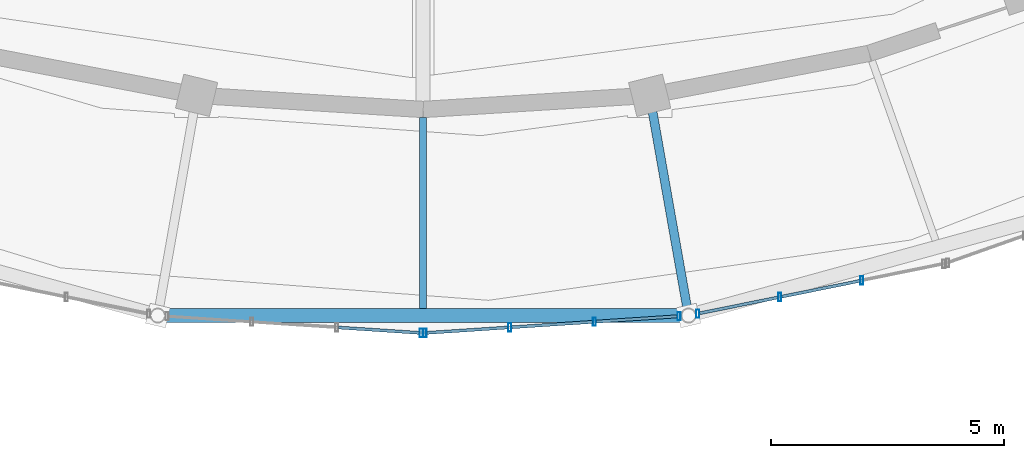
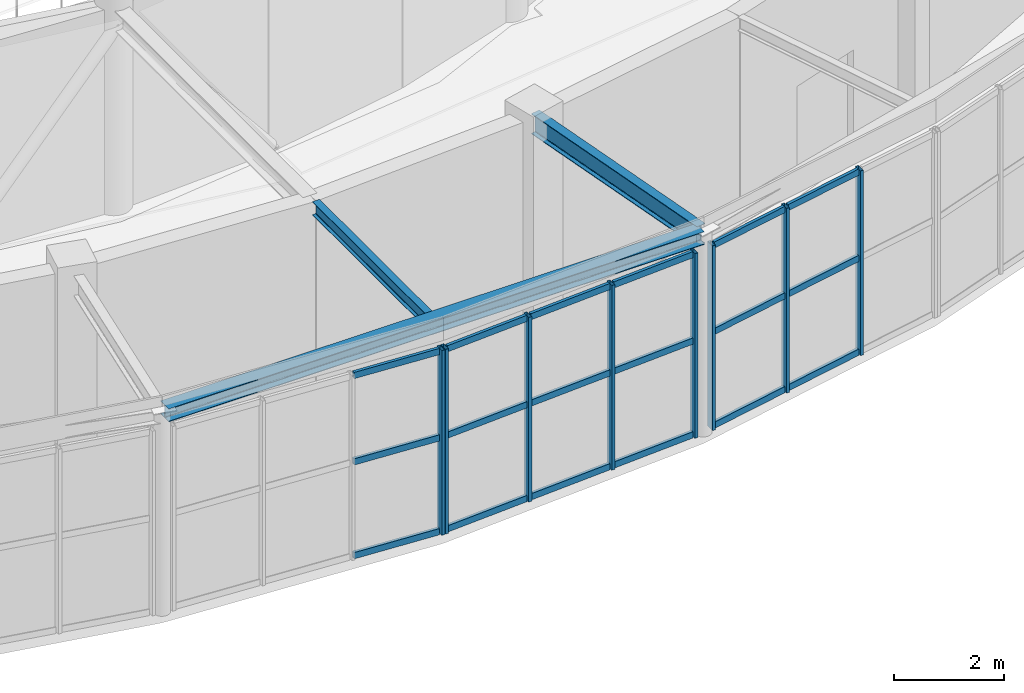
# One storey, part 39 of 108: 26 members, 3 beams, 3 elements without a shape of their own.
"""IFC4 building model written with IfcOpenShell, lengths in metres."""

from ifc_helpers import new_model, si_unit, direction, frame, origin, origin_2d, place, context, subcontext, project, spatial, hollow_rectangle, i_section, extrude, material, material_profile, profile_set, type_object, element, aggregate, save


model = new_model("IFC4")

# Units and contexts
model_context = context("Model", 3, precision=1e-05, world=origin(), true_north=direction((0.0, 1.0)))
body_context = subcontext(model_context, "Body", "Model", "MODEL_VIEW")
ifc_project = project(units=[si_unit("LENGTHUNIT", "METRE"), si_unit("AREAUNIT", "SQUARE_METRE"), si_unit("VOLUMEUNIT", "CUBIC_METRE"), si_unit("PLANEANGLEUNIT", "RADIAN"), si_unit("MASSUNIT", "GRAM", prefix="KILO")], contexts=[model_context])

# Site, building, storey
site_placement = place(None, origin())
site = spatial("IfcSite", under=ifc_project, at=site_placement, CompositionType="ELEMENT")
building_placement = place(site_placement, origin())
building = spatial("IfcBuilding", under=site, at=building_placement, Name="Tarnveldt Headland Concert Hall", CompositionType="ELEMENT")
storey_placement = place(building_placement, frame((0.0, 0.0, 9.60009765625)))
storey = spatial("IfcBuildingStorey", under=building, at=storey_placement, Name="L02", CompositionType="ELEMENT", Elevation=9.60009765625)

# Curtain wall, member
ifc_material_1 = material(Name="Marine-anodised aluminium EN AW-6063-T6", Category="aluminium")
curtain_wall_type = type_object("IfcCurtainWallType", Name="CW-F3", PredefinedType="NOTDEFINED", material=ifc_material_1)
curtain_wall_1_placement = place(storey_placement, origin())
curtain_wall_1 = element("IfcCurtainWall", 1, at=curtain_wall_1_placement, inside=storey, type_object=curtain_wall_type, Name="Curtain wall CW-L02-085", PredefinedType="NOTDEFINED")
ifc_material_profile_1 = material_profile(ifc_material_1, hollow_rectangle(XDim=0.06494140625, YDim=0.179931640625, WallThickness=0.00390625, at=origin_2d()), Name="ALU MULLION 65x180x4", Category="aluminium")
ifc_profile_set_1 = profile_set([ifc_material_profile_1], Name="Marine-anodised aluminium EN AW-6063-T6")
member_type_1 = type_object("IfcMemberType", Name="ML-180", PredefinedType="MULLION", material=ifc_profile_set_1)
member_1_placement = place(storey_placement, frame((83.460205078125, 29.70263671875, 0.0), z_axis=(0.0, 0.0, 1.0), x_axis=(1.0, 0.0, 0.0)))
member_1 = element("IfcMember", 2, at=member_1_placement, type_object=member_type_1, Name="Mullion CW-L02-085-4", PredefinedType="MULLION", context=body_context, shape_type="SweptSolid", body=[
    extrude(hollow_rectangle(XDim=0.06494140625, YDim=0.179931640625, WallThickness=0.00390625, at=origin_2d()), origin(), (0.0, 0.0, 1.0), 4.10791015625),
])

# Curtain wall, members
curtain_wall_2_placement = place(storey_placement, origin())
curtain_wall_2 = element("IfcCurtainWall", 3, at=curtain_wall_2_placement, inside=storey, type_object=curtain_wall_type, Name="Curtain wall CW-L02-086", PredefinedType="NOTDEFINED")
member_2_placement = place(storey_placement, frame((83.539794921875, 29.70263671875, 0.0), z_axis=(0.0, 0.0, 1.0), x_axis=(1.0, 0.0, 0.0)))
member_2 = element("IfcMember", 4, at=member_2_placement, type_object=member_type_1, Name="Mullion CW-L02-086-1", PredefinedType="MULLION", context=body_context, shape_type="SweptSolid", body=[
    extrude(hollow_rectangle(XDim=0.06494140625, YDim=0.179931640625, WallThickness=0.00390625, at=origin_2d()), origin(), (0.0, 0.0, 1.0), 4.10791015625),
])
member_3_placement = place(storey_placement, frame((85.35791015625, 29.822998046875, 0.0), z_axis=(0.0, 0.0, 1.0), x_axis=(1.0, 0.0, 0.0)))
member_3 = element("IfcMember", 5, at=member_3_placement, type_object=member_type_1, Name="Mullion CW-L02-086-2", PredefinedType="MULLION", context=body_context, shape_type="SweptSolid", body=[
    extrude(hollow_rectangle(XDim=0.06494140625, YDim=0.179931640625, WallThickness=0.00390625, at=origin_2d()), origin(), (0.0, 0.0, 1.0), 4.10791015625),
])
member_4_placement = place(storey_placement, frame((87.176025390625, 29.943115234375, 0.0), z_axis=(0.0, 0.0, 1.0), x_axis=(1.0, 0.0, 0.0)))
member_4 = element("IfcMember", 6, at=member_4_placement, type_object=member_type_1, Name="Mullion CW-L02-086-3", PredefinedType="MULLION", context=body_context, shape_type="SweptSolid", body=[
    extrude(hollow_rectangle(XDim=0.06494140625, YDim=0.179931640625, WallThickness=0.00390625, at=origin_2d()), origin(), (0.0, 0.0, 1.0), 4.10791015625),
])
member_5_placement = place(storey_placement, frame((88.994140625, 30.0634765625, 0.0), z_axis=(0.0, 0.0, 1.0), x_axis=(1.0, 0.0, 0.0)))
member_5 = element("IfcMember", 7, at=member_5_placement, type_object=member_type_1, Name="Mullion CW-L02-086-4", PredefinedType="MULLION", context=body_context, shape_type="SweptSolid", body=[
    extrude(hollow_rectangle(XDim=0.06494140625, YDim=0.179931640625, WallThickness=0.00390625, at=origin_2d()), origin(), (0.0, 0.0, 1.0), 4.10791015625),
])

curtain_wall_3_placement = place(storey_placement, origin())
curtain_wall_3 = element("IfcCurtainWall", 8, at=curtain_wall_3_placement, inside=storey, type_object=curtain_wall_type, Name="Curtain wall CW-L02-087", PredefinedType="NOTDEFINED")
member_6_placement = place(storey_placement, frame((89.3935546875, 30.116943359375, 0.0), z_axis=(0.0, 0.0, 1.0), x_axis=(1.0, 0.0, 0.0)))
member_6 = element("IfcMember", 9, at=member_6_placement, type_object=member_type_1, Name="Mullion CW-L02-087-1", PredefinedType="MULLION", context=body_context, shape_type="SweptSolid", body=[
    extrude(hollow_rectangle(XDim=0.06494140625, YDim=0.179931640625, WallThickness=0.00390625, at=origin_2d()), origin(), (0.0, 0.0, 1.0), 4.10791015625),
])
member_7_placement = place(storey_placement, frame((91.155517578125, 30.473876953125, 0.0), z_axis=(0.0, 0.0, 1.0), x_axis=(1.0, 0.0, 0.0)))
member_7 = element("IfcMember", 10, at=member_7_placement, type_object=member_type_1, Name="Mullion CW-L02-087-2", PredefinedType="MULLION", context=body_context, shape_type="SweptSolid", body=[
    extrude(hollow_rectangle(XDim=0.06494140625, YDim=0.179931640625, WallThickness=0.00390625, at=origin_2d()), origin(), (0.0, 0.0, 1.0), 4.10791015625),
])
member_8_placement = place(storey_placement, frame((92.917236328125, 30.830810546875, 0.0), z_axis=(0.0, 0.0, 1.0), x_axis=(1.0, 0.0, 0.0)))
member_8 = element("IfcMember", 11, at=member_8_placement, type_object=member_type_1, Name="Mullion CW-L02-087-3", PredefinedType="MULLION", context=body_context, shape_type="SweptSolid", body=[
    extrude(hollow_rectangle(XDim=0.06494140625, YDim=0.179931640625, WallThickness=0.00390625, at=origin_2d()), origin(), (0.0, 0.0, 1.0), 4.10791015625),
])

# Beams
ifc_material_2 = material(Name="Steel S355", Category="steel")
ifc_material_profile_2 = material_profile(ifc_material_2, i_section(OverallWidth=0.300048828125, OverallDepth=0.2900390625, WebThickness=0.008544921875, FlangeThickness=0.013916015625, FilletRadius=0.027099609375, at=origin_2d()), Name="HEA300", Category="steel")
ifc_profile_set_2 = profile_set([ifc_material_profile_2], Name="Steel S355")
beam_type_1 = type_object("IfcBeamType", Name="SB-HEA300", PredefinedType="SPANDREL", material=ifc_profile_set_2)
beam_1_placement = place(storey_placement, frame((77.8642578125, 30.076904296875, 4.4248046875), z_axis=(1.0, 0.0, 0.0), x_axis=(0.0, 1.0, 0.0)))
element("IfcBeam", 12, at=beam_1_placement, inside=storey, type_object=beam_type_1, Name="Framing beam L02-1034", PredefinedType="SPANDREL", context=body_context, shape_type="SweptSolid", body=[
    extrude(i_section(OverallWidth=0.300048828125, OverallDepth=0.2900390625, WebThickness=0.008544921875, FlangeThickness=0.013916015625, FilletRadius=0.027099609375, at=origin_2d()), origin(), (0.0, 0.0, 1.0), 11.271484375),
])
ifc_material_profile_3 = material_profile(ifc_material_2, i_section(OverallWidth=0.14990234375, OverallDepth=0.300048828125, WebThickness=0.007080078125, FlangeThickness=0.0107421875, FilletRadius=0.014892578125, at=origin_2d()), Name="IPE300", Category="steel")
ifc_profile_set_3 = profile_set([ifc_material_profile_3], Name="Steel S355")
beam_type_2 = type_object("IfcBeamType", Name="SB-IPE300", PredefinedType="JOIST", material=ifc_profile_set_3)
beam_2_placement = place(storey_placement, frame((83.5, 34.324951171875, 4.419921875), z_axis=(0.0, -1.0, 0.0), x_axis=(1.0, 0.0, 0.0)))
element("IfcBeam", 13, at=beam_2_placement, inside=storey, type_object=beam_type_2, Name="Framing beam L02-1036", PredefinedType="JOIST", context=body_context, shape_type="SweptSolid", body=[
    extrude(i_section(OverallWidth=0.14990234375, OverallDepth=0.300048828125, WebThickness=0.007080078125, FlangeThickness=0.0107421875, FilletRadius=0.014892578125, at=origin_2d()), origin(), (0.0, 0.0, 1.0), 4.09814453125),
])
ifc_material_profile_4 = material_profile(ifc_material_2, i_section(OverallWidth=0.18994140625, OverallDepth=0.449951171875, WebThickness=0.009521484375, FlangeThickness=0.0146484375, FilletRadius=0.02099609375, at=origin_2d()), Name="IPE450", Category="steel")
ifc_profile_set_4 = profile_set([ifc_material_profile_4], Name="Steel S355")
beam_type_3 = type_object("IfcBeamType", Name="SB-IPE450", PredefinedType="BEAM", material=ifc_profile_set_4)
beam_3_placement = place(storey_placement, frame((88.368896484375, 34.764404296875, 4.344970703125), z_axis=(0.173708285572, -0.984797152475, 0.0), x_axis=(0.984797152475, 0.173708285572, 0.0)))
element("IfcBeam", 14, at=beam_3_placement, inside=storey, type_object=beam_type_3, Name="Framing beam L02-1038", PredefinedType="BEAM", context=body_context, shape_type="SweptSolid", body=[
    extrude(i_section(OverallWidth=0.18994140625, OverallDepth=0.449951171875, WebThickness=0.009521484375, FlangeThickness=0.0146484375, FilletRadius=0.02099609375, at=origin_2d()), origin(), (0.0, 0.0, 1.0), 4.699951171875),
])

# Member
ifc_material_profile_5 = material_profile(ifc_material_1, hollow_rectangle(XDim=0.06494140625, YDim=0.139892578125, WallThickness=0.00390625, at=origin_2d()), Name="ALU TRANSOM 65x140x4", Category="aluminium")
ifc_profile_set_5 = profile_set([ifc_material_profile_5], Name="Marine-anodised aluminium EN AW-6063-T6")
member_type_2 = type_object("IfcMemberType", Name="TR-140", PredefinedType="MEMBER", material=ifc_profile_set_5)
member_9_placement = place(storey_placement, frame((81.686279296875, 29.820068359375, 0.0498046875), z_axis=(0.997815592021, -0.066060913701, 0.0), x_axis=(0.066060913701, 0.997815592021, 0.0)))
member_9 = element("IfcMember", 15, at=member_9_placement, type_object=member_type_2, Name="Transom CW-L02-085-3-1", PredefinedType="MEMBER", context=body_context, shape_type="SweptSolid", body=[
    extrude(hollow_rectangle(XDim=0.06494140625, YDim=0.139892578125, WallThickness=0.00390625, at=origin_2d()), origin(), (0.0, 0.0, 1.0), 1.7333984375),
])

member_10_placement = place(storey_placement, frame((81.686279296875, 29.820068359375, 2.135986328125), z_axis=(0.997815592021, -0.066060913701, 0.0), x_axis=(0.066060913701, 0.997815592021, 0.0)))
member_10 = element("IfcMember", 16, at=member_10_placement, type_object=member_type_2, Name="Transom CW-L02-085-3-2", PredefinedType="MEMBER", context=body_context, shape_type="SweptSolid", body=[
    extrude(hollow_rectangle(XDim=0.06494140625, YDim=0.139892578125, WallThickness=0.00390625, at=origin_2d()), origin(), (0.0, 0.0, 1.0), 1.7333984375),
])

member_11_placement = place(storey_placement, frame((81.686279296875, 29.820068359375, 4.057861328125), z_axis=(0.997815592021, -0.066060913701, 0.0), x_axis=(0.066060913701, 0.997815592021, 0.0)))
member_11 = element("IfcMember", 17, at=member_11_placement, type_object=member_type_2, Name="Transom CW-L02-085-3-3", PredefinedType="MEMBER", context=body_context, shape_type="SweptSolid", body=[
    extrude(hollow_rectangle(XDim=0.06494140625, YDim=0.139892578125, WallThickness=0.00390625, at=origin_2d()), origin(), (0.0, 0.0, 1.0), 1.7333984375),
])

aggregate(curtain_wall_1, [member_1, member_9, member_10, member_11])

member_12_placement = place(storey_placement, frame((83.584228515625, 29.70556640625, 0.0498046875), z_axis=(0.997815592021, 0.066060913701, 0.0), x_axis=(-0.066060913701, 0.997815592021, 0.0)))
member_12 = element("IfcMember", 18, at=member_12_placement, type_object=member_type_2, Name="Transom CW-L02-086-1-1", PredefinedType="MEMBER", context=body_context, shape_type="SweptSolid", body=[
    extrude(hollow_rectangle(XDim=0.06494140625, YDim=0.139892578125, WallThickness=0.00390625, at=origin_2d()), origin(), (0.0, 0.0, 1.0), 1.7333984375),
])

member_13_placement = place(storey_placement, frame((83.584228515625, 29.70556640625, 2.135986328125), z_axis=(0.997815592021, 0.066060913701, 0.0), x_axis=(-0.066060913701, 0.997815592021, 0.0)))
member_13 = element("IfcMember", 19, at=member_13_placement, type_object=member_type_2, Name="Transom CW-L02-086-1-2", PredefinedType="MEMBER", context=body_context, shape_type="SweptSolid", body=[
    extrude(hollow_rectangle(XDim=0.06494140625, YDim=0.139892578125, WallThickness=0.00390625, at=origin_2d()), origin(), (0.0, 0.0, 1.0), 1.7333984375),
])

member_14_placement = place(storey_placement, frame((83.584228515625, 29.70556640625, 4.057861328125), z_axis=(0.997815592021, 0.066060913701, 0.0), x_axis=(-0.066060913701, 0.997815592021, 0.0)))
member_14 = element("IfcMember", 20, at=member_14_placement, type_object=member_type_2, Name="Transom CW-L02-086-1-3", PredefinedType="MEMBER", context=body_context, shape_type="SweptSolid", body=[
    extrude(hollow_rectangle(XDim=0.06494140625, YDim=0.139892578125, WallThickness=0.00390625, at=origin_2d()), origin(), (0.0, 0.0, 1.0), 1.7333984375),
])

member_15_placement = place(storey_placement, frame((85.40234375, 29.82568359375, 0.0498046875), z_axis=(0.997814977195, 0.066070199676, 0.0), x_axis=(-0.066070199676, 0.997814977195, 0.0)))
member_15 = element("IfcMember", 21, at=member_15_placement, type_object=member_type_2, Name="Transom CW-L02-086-2-1", PredefinedType="MEMBER", context=body_context, shape_type="SweptSolid", body=[
    extrude(hollow_rectangle(XDim=0.06494140625, YDim=0.139892578125, WallThickness=0.00390625, at=origin_2d()), origin(), (0.0, 0.0, 1.0), 1.733154296875),
])

member_16_placement = place(storey_placement, frame((85.40234375, 29.82568359375, 2.135986328125), z_axis=(0.997814977195, 0.066070199676, 0.0), x_axis=(-0.066070199676, 0.997814977195, 0.0)))
member_16 = element("IfcMember", 22, at=member_16_placement, type_object=member_type_2, Name="Transom CW-L02-086-2-2", PredefinedType="MEMBER", context=body_context, shape_type="SweptSolid", body=[
    extrude(hollow_rectangle(XDim=0.06494140625, YDim=0.139892578125, WallThickness=0.00390625, at=origin_2d()), origin(), (0.0, 0.0, 1.0), 1.733154296875),
])

member_17_placement = place(storey_placement, frame((85.40234375, 29.82568359375, 4.057861328125), z_axis=(0.997814977195, 0.066070199676, 0.0), x_axis=(-0.066070199676, 0.997814977195, 0.0)))
member_17 = element("IfcMember", 23, at=member_17_placement, type_object=member_type_2, Name="Transom CW-L02-086-2-3", PredefinedType="MEMBER", context=body_context, shape_type="SweptSolid", body=[
    extrude(hollow_rectangle(XDim=0.06494140625, YDim=0.139892578125, WallThickness=0.00390625, at=origin_2d()), origin(), (0.0, 0.0, 1.0), 1.733154296875),
])

member_18_placement = place(storey_placement, frame((87.220458984375, 29.946044921875, 0.0498046875), z_axis=(0.997814977195, 0.066070199676, 0.0), x_axis=(-0.066070199676, 0.997814977195, 0.0)))
member_18 = element("IfcMember", 24, at=member_18_placement, type_object=member_type_2, Name="Transom CW-L02-086-3-1", PredefinedType="MEMBER", context=body_context, shape_type="SweptSolid", body=[
    extrude(hollow_rectangle(XDim=0.06494140625, YDim=0.139892578125, WallThickness=0.00390625, at=origin_2d()), origin(), (0.0, 0.0, 1.0), 1.733154296875),
])

member_19_placement = place(storey_placement, frame((87.220458984375, 29.946044921875, 2.135986328125), z_axis=(0.997814977195, 0.066070199676, 0.0), x_axis=(-0.066070199676, 0.997814977195, 0.0)))
member_19 = element("IfcMember", 25, at=member_19_placement, type_object=member_type_2, Name="Transom CW-L02-086-3-2", PredefinedType="MEMBER", context=body_context, shape_type="SweptSolid", body=[
    extrude(hollow_rectangle(XDim=0.06494140625, YDim=0.139892578125, WallThickness=0.00390625, at=origin_2d()), origin(), (0.0, 0.0, 1.0), 1.733154296875),
])

member_20_placement = place(storey_placement, frame((87.220458984375, 29.946044921875, 4.057861328125), z_axis=(0.997814977195, 0.066070199676, 0.0), x_axis=(-0.066070199676, 0.997814977195, 0.0)))
member_20 = element("IfcMember", 26, at=member_20_placement, type_object=member_type_2, Name="Transom CW-L02-086-3-3", PredefinedType="MEMBER", context=body_context, shape_type="SweptSolid", body=[
    extrude(hollow_rectangle(XDim=0.06494140625, YDim=0.139892578125, WallThickness=0.00390625, at=origin_2d()), origin(), (0.0, 0.0, 1.0), 1.733154296875),
])

aggregate(curtain_wall_2, [member_2, member_3, member_4, member_5, member_12, member_13, member_14, member_15, member_16, member_17, member_18, member_19, member_20])

member_21_placement = place(storey_placement, frame((89.437255859375, 30.125732421875, 0.0498046875), z_axis=(0.980077374986, 0.198616059372, 0.0), x_axis=(-0.198616059372, 0.980077374986, 0.0)))
member_21 = element("IfcMember", 27, at=member_21_placement, type_object=member_type_2, Name="Transom CW-L02-087-1-1", PredefinedType="MEMBER", context=body_context, shape_type="SweptSolid", body=[
    extrude(hollow_rectangle(XDim=0.06494140625, YDim=0.139892578125, WallThickness=0.00390625, at=origin_2d()), origin(), (0.0, 0.0, 1.0), 1.70849609375),
])

member_22_placement = place(storey_placement, frame((89.437255859375, 30.125732421875, 2.135986328125), z_axis=(0.980077374986, 0.198616059372, 0.0), x_axis=(-0.198616059372, 0.980077374986, 0.0)))
member_22 = element("IfcMember", 28, at=member_22_placement, type_object=member_type_2, Name="Transom CW-L02-087-1-2", PredefinedType="MEMBER", context=body_context, shape_type="SweptSolid", body=[
    extrude(hollow_rectangle(XDim=0.06494140625, YDim=0.139892578125, WallThickness=0.00390625, at=origin_2d()), origin(), (0.0, 0.0, 1.0), 1.70849609375),
])

member_23_placement = place(storey_placement, frame((89.437255859375, 30.125732421875, 4.057861328125), z_axis=(0.980077374986, 0.198616059372, 0.0), x_axis=(-0.198616059372, 0.980077374986, 0.0)))
member_23 = element("IfcMember", 29, at=member_23_placement, type_object=member_type_2, Name="Transom CW-L02-087-1-3", PredefinedType="MEMBER", context=body_context, shape_type="SweptSolid", body=[
    extrude(hollow_rectangle(XDim=0.06494140625, YDim=0.139892578125, WallThickness=0.00390625, at=origin_2d()), origin(), (0.0, 0.0, 1.0), 1.70849609375),
])

member_24_placement = place(storey_placement, frame((91.198974609375, 30.482666015625, 0.0498046875), z_axis=(0.980083010546, 0.198588248493, 0.0), x_axis=(-0.198588248493, 0.980083010546, 0.0)))
member_24 = element("IfcMember", 30, at=member_24_placement, type_object=member_type_2, Name="Transom CW-L02-087-2-1", PredefinedType="MEMBER", context=body_context, shape_type="SweptSolid", body=[
    extrude(hollow_rectangle(XDim=0.06494140625, YDim=0.139892578125, WallThickness=0.00390625, at=origin_2d()), origin(), (0.0, 0.0, 1.0), 1.708740234375),
])

member_25_placement = place(storey_placement, frame((91.198974609375, 30.482666015625, 2.135986328125), z_axis=(0.980083010546, 0.198588248493, 0.0), x_axis=(-0.198588248493, 0.980083010546, 0.0)))
member_25 = element("IfcMember", 31, at=member_25_placement, type_object=member_type_2, Name="Transom CW-L02-087-2-2", PredefinedType="MEMBER", context=body_context, shape_type="SweptSolid", body=[
    extrude(hollow_rectangle(XDim=0.06494140625, YDim=0.139892578125, WallThickness=0.00390625, at=origin_2d()), origin(), (0.0, 0.0, 1.0), 1.708740234375),
])

member_26_placement = place(storey_placement, frame((91.198974609375, 30.482666015625, 4.057861328125), z_axis=(0.980083010546, 0.198588248493, 0.0), x_axis=(-0.198588248493, 0.980083010546, 0.0)))
member_26 = element("IfcMember", 32, at=member_26_placement, type_object=member_type_2, Name="Transom CW-L02-087-2-3", PredefinedType="MEMBER", context=body_context, shape_type="SweptSolid", body=[
    extrude(hollow_rectangle(XDim=0.06494140625, YDim=0.139892578125, WallThickness=0.00390625, at=origin_2d()), origin(), (0.0, 0.0, 1.0), 1.708740234375),
])

aggregate(curtain_wall_3, [member_6, member_7, member_8, member_21, member_22, member_23, member_24, member_25, member_26])

save(model, "model.ifc")
